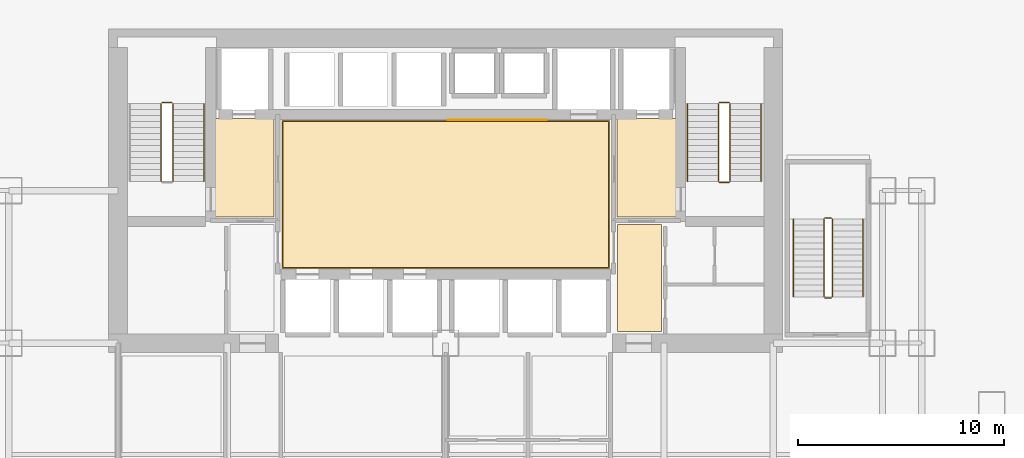
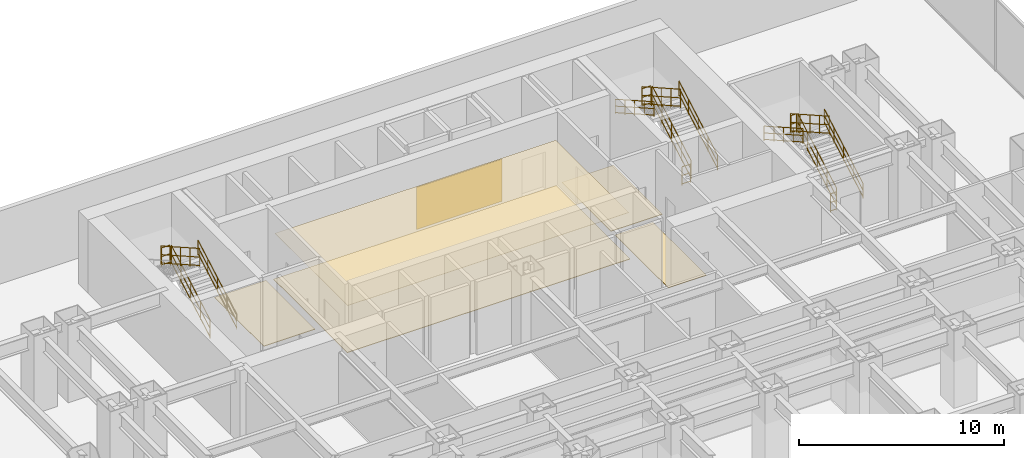
# One storey, part 13 of 13: 16 railings, 6 coverings.
"""IFC4 building model written with IfcOpenShell, lengths in metres."""

from ifc_helpers import new_model, si_unit, direction, frame, origin, origin_2d, place, context, subcontext, project, spatial, polyline, circle, outline, extrude, material, layer, layer_set, type_object, element, save


model = new_model("IFC4")

# Units and contexts
model_context = context("Model", 3, precision=1e-05, world=origin(), true_north=direction((0.0, 1.0)))
body_context = subcontext(model_context, "Body", "Model", "MODEL_VIEW")
ifc_project = project(units=[si_unit("LENGTHUNIT", "METRE"), si_unit("AREAUNIT", "SQUARE_METRE"), si_unit("VOLUMEUNIT", "CUBIC_METRE"), si_unit("PLANEANGLEUNIT", "RADIAN"), si_unit("MASSUNIT", "GRAM", prefix="KILO")], contexts=[model_context])

# Site, building, storey
site_placement = place(None, origin())
site = spatial("IfcSite", under=ifc_project, at=site_placement, CompositionType="ELEMENT")
building_placement = place(site_placement, origin())
building = spatial("IfcBuilding", under=site, at=building_placement, Name="Qianlan Lanfeng Residences", CompositionType="ELEMENT")
storey_placement = place(building_placement, frame((0.0, 0.0, 14.39990234375)))
storey = spatial("IfcBuildingStorey", under=building, at=storey_placement, Name="L03", CompositionType="ELEMENT", Elevation=14.39990234375)

# Coverings
ifc_material_1 = material(Name="Anodised Bronze Feature Wall Cladding")
ifc_layer_1 = layer(ifc_material_1, 0.02490234375)
ifc_layer_set_1 = layer_set([ifc_layer_1], Name="Anodised Bronze Feature Wall Cladding")
covering_type_1 = type_object("IfcCoveringType", Name="CLD-BRZ-25", PredefinedType="CLADDING", material=ifc_layer_set_1)
covering_1_placement = place(storey_placement, frame((0.0, 0.0, 0.150146484375)))
element("IfcCovering", 1, at=covering_1_placement, inside=storey, type_object=covering_type_1, Name="L03 Lift Lobby Bronze Feature Cladding", PredefinedType="CLADDING", context=body_context, shape_type="SweptSolid", body=[
    extrude(outline(polyline([(26.60009765625, 36.02490234375), (31.39990234375, 36.02490234375), (31.39990234375, 36.050048828125), (26.60009765625, 36.050048828125), (26.60009765625, 36.02490234375)])), origin(), (0.0, 0.0, 1.0), 2.5),
])
ifc_material_2 = material(Name="Acoustic Perforated Gypsum Ceiling Board")
ifc_layer_2 = layer(ifc_material_2, 0.02001953125)
ifc_layer_set_2 = layer_set([ifc_layer_2], Name="Acoustic Perforated Gypsum Ceiling Board")
covering_type_2 = type_object("IfcCoveringType", Name="CLG-GYP-15", PredefinedType="CEILING", material=ifc_layer_set_2)
covering_2_placement = place(storey_placement, frame((0.0, 0.0, 2.75)))
element("IfcCovering", 2, at=covering_2_placement, inside=storey, type_object=covering_type_2, Name="L03 Lift Lobby Suspended Ceiling", PredefinedType="CEILING", context=body_context, shape_type="SweptSolid", body=[
    extrude(outline(polyline([(18.60009765625, 28.8701171875), (34.39990234375, 28.8701171875), (34.39990234375, 35.9599609375), (18.60009765625, 35.9599609375), (18.60009765625, 28.8701171875)])), origin(), (0.0, 0.0, 1.0), 0.02001953125),
])
ifc_material_3 = material(Name="Honed Taitung Granite Stone Flooring", Category="masonry")
ifc_layer_3 = layer(ifc_material_3, 0.030029296875)
ifc_layer_set_3 = layer_set([ifc_layer_3], Name="Honed Taitung Granite Stone Flooring")
covering_type_3 = type_object("IfcCoveringType", Name="FLR-STN-30", PredefinedType="FLOORING", material=ifc_layer_set_3)
covering_3_placement = place(storey_placement, origin())
element("IfcCovering", 3, at=covering_3_placement, inside=storey, type_object=covering_type_3, Name="L03 Firefighting Lift Lobby Floor Finish", PredefinedType="FLOORING", context=body_context, shape_type="SweptSolid", body=[
    extrude(outline(polyline([(15.2900390625, 31.320068359375), (18.179931640625, 31.320068359375), (18.179931640625, 36.110107421875), (15.2900390625, 36.110107421875), (15.2900390625, 31.320068359375)])), origin(), (0.0, 0.0, 1.0), 0.030029296875),
])
covering_4_placement = place(storey_placement, origin())
element("IfcCovering", 4, at=covering_4_placement, inside=storey, type_object=covering_type_3, Name="L03 Firefighting Lift Lobby Floor Finish", PredefinedType="FLOORING", context=body_context, shape_type="SweptSolid", body=[
    extrude(outline(polyline([(34.820068359375, 31.320068359375), (37.7099609375, 31.320068359375), (37.7099609375, 36.110107421875), (34.820068359375, 36.110107421875), (34.820068359375, 31.320068359375)])), origin(), (0.0, 0.0, 1.0), 0.030029296875),
])
covering_5_placement = place(storey_placement, origin())
element("IfcCovering", 5, at=covering_5_placement, inside=storey, type_object=covering_type_3, Name="L03 Lift Lobby Floor Finish", PredefinedType="FLOORING", context=body_context, shape_type="SweptSolid", body=[
    extrude(outline(polyline([(18.550048828125, 28.820068359375), (34.449951171875, 28.820068359375), (34.449951171875, 36.010009765625), (18.550048828125, 36.010009765625), (18.550048828125, 28.820068359375)])), origin(), (0.0, 0.0, 1.0), 0.030029296875),
])
covering_6_placement = place(storey_placement, origin())
element("IfcCovering", 6, at=covering_6_placement, inside=storey, type_object=covering_type_3, Name="L03 Lift Lobby Floor Finish", PredefinedType="FLOORING", context=body_context, shape_type="SweptSolid", body=[
    extrude(outline(polyline([(34.830078125, 25.77001953125), (36.969970703125, 25.77001953125), (36.969970703125, 30.949951171875), (34.830078125, 30.949951171875), (34.830078125, 25.77001953125)])), origin(), (0.0, 0.0, 1.0), 0.030029296875),
])

# Railings
ifc_material_4 = material(Name="Painted Galvanised Steel Guardrail", Category="steel")
railing_type_1 = type_object("IfcRailingType", Name="GR-ST-1120", PredefinedType="GUARDRAIL", material=ifc_material_4)
railing_1_placement = place(storey_placement, frame((13.27001953125, 33.050048828125, 0.164306640625)))
element("IfcRailing", 7, at=railing_1_placement, inside=storey, type_object=railing_type_1, Name="L03 ST-1 stair guard 1", PredefinedType="GUARDRAIL", context=body_context, shape_type="SweptSolid", body=[
    extrude(circle(Radius=0.02392578125, at=origin_2d()), frame((0.0, 0.0, 0.083984375), z_axis=(0.0, 0.870081794457, 0.492907365491), x_axis=(-1.0, 0.0, 0.0)), (0.0, 0.0, 1.0), 4.3330078125),
    extrude(circle(Radius=0.02392578125, at=origin_2d()), frame((0.0, 0.0, 0.58251953125), z_axis=(0.0, 0.870081794457, 0.492907365491), x_axis=(-1.0, 0.0, 0.0)), (0.0, 0.0, 1.0), 4.3330078125),
    extrude(circle(Radius=0.02392578125, at=origin_2d()), frame((0.0, 0.0, 1.09619140625), z_axis=(0.0, 0.870081794457, 0.492907365491), x_axis=(-1.0, 0.0, 0.0)), (0.0, 0.0, 1.0), 4.3330078125),
    extrude(circle(Radius=0.02099609375, at=origin_2d()), origin(), (0.0, 0.0, 1.0), 1.072021484375),
    extrude(circle(Radius=0.02099609375, at=origin_2d()), frame((0.0, 0.9423828125, 0.533935546875)), (0.0, 0.0, 1.0), 1.072021484375),
    extrude(circle(Radius=0.02099609375, at=origin_2d()), frame((0.0, 1.885009765625, 1.06787109375)), (0.0, 0.0, 1.0), 1.072021484375),
    extrude(circle(Radius=0.02099609375, at=origin_2d()), frame((0.0, 2.82763671875, 1.601806640625)), (0.0, 0.0, 1.0), 1.072021484375),
    extrude(circle(Radius=0.02099609375, at=origin_2d()), frame((0.0, 3.77001953125, 2.1357421875)), (0.0, 0.0, 1.0), 1.072021484375),
])
railing_2_placement = place(storey_placement, frame((13.219970703125, 36.8701171875, 2.300048828125)))
element("IfcRailing", 8, at=railing_2_placement, inside=storey, type_object=railing_type_1, Name="L03 ST-1 stair guard 2", PredefinedType="GUARDRAIL", context=body_context, shape_type="SweptSolid", body=[
    extrude(circle(Radius=0.02392578125, at=origin_2d()), frame((0.0, 0.0, 0.083984375), z_axis=(-1.0, 0.0, 0.0), x_axis=(0.0, -1.0, 0.0)), (0.0, 0.0, 1.0), 0.47998046875),
    extrude(circle(Radius=0.02392578125, at=origin_2d()), frame((0.0, 0.0, 0.58251953125), z_axis=(-1.0, 0.0, 0.0), x_axis=(0.0, -1.0, 0.0)), (0.0, 0.0, 1.0), 0.47998046875),
    extrude(circle(Radius=0.02392578125, at=origin_2d()), frame((0.0, 0.0, 1.09619140625), z_axis=(-1.0, 0.0, 0.0), x_axis=(0.0, -1.0, 0.0)), (0.0, 0.0, 1.0), 0.47998046875),
    extrude(circle(Radius=0.02099609375, at=origin_2d()), origin(), (0.0, 0.0, 1.0), 1.072021484375),
    extrude(circle(Radius=0.02099609375, at=origin_2d()), frame((-0.47998046875, 0.0, 0.0)), (0.0, 0.0, 1.0), 1.072021484375),
])
railing_3_placement = place(storey_placement, frame((12.68994140625, 36.820068359375, 2.46435546875)))
element("IfcRailing", 9, at=railing_3_placement, inside=storey, type_object=railing_type_1, Name="L03 ST-1 stair guard 3", PredefinedType="GUARDRAIL", context=body_context, shape_type="SweptSolid", body=[
    extrude(circle(Radius=0.02392578125, at=origin_2d()), frame((0.0, 0.0, 0.083984375), z_axis=(0.0, -0.870081794457, 0.492907365491), x_axis=(1.0, 0.0, 0.0)), (0.0, 0.0, 1.0), 4.3330078125),
    extrude(circle(Radius=0.02392578125, at=origin_2d()), frame((0.0, 0.0, 0.58251953125), z_axis=(0.0, -0.870081794457, 0.492907365491), x_axis=(1.0, 0.0, 0.0)), (0.0, 0.0, 1.0), 4.3330078125),
    extrude(circle(Radius=0.02392578125, at=origin_2d()), frame((0.0, 0.0, 1.09619140625), z_axis=(0.0, -0.870081794457, 0.492907365491), x_axis=(1.0, 0.0, 0.0)), (0.0, 0.0, 1.0), 4.3330078125),
    extrude(circle(Radius=0.02099609375, at=origin_2d()), origin(), (0.0, 0.0, 1.0), 1.072021484375),
    extrude(circle(Radius=0.02099609375, at=origin_2d()), frame((0.0, -0.9423828125, 0.533935546875)), (0.0, 0.0, 1.0), 1.072021484375),
    extrude(circle(Radius=0.02099609375, at=origin_2d()), frame((0.0, -1.885009765625, 1.06787109375)), (0.0, 0.0, 1.0), 1.072021484375),
    extrude(circle(Radius=0.02099609375, at=origin_2d()), frame((0.0, -2.82763671875, 1.601806640625)), (0.0, 0.0, 1.0), 1.072021484375),
    extrude(circle(Radius=0.02099609375, at=origin_2d()), frame((0.0, -3.77001953125, 2.1357421875)), (0.0, 0.0, 1.0), 1.072021484375),
])
railing_4_placement = place(storey_placement, frame((40.31005859375, 33.050048828125, 0.164306640625)))
element("IfcRailing", 10, at=railing_4_placement, inside=storey, type_object=railing_type_1, Name="L03 ST-2 stair guard 1", PredefinedType="GUARDRAIL", context=body_context, shape_type="SweptSolid", body=[
    extrude(circle(Radius=0.02392578125, at=origin_2d()), frame((0.0, 0.0, 0.083984375), z_axis=(0.0, 0.870081794457, 0.492907365491), x_axis=(-1.0, 0.0, 0.0)), (0.0, 0.0, 1.0), 4.3330078125),
    extrude(circle(Radius=0.02392578125, at=origin_2d()), frame((0.0, 0.0, 0.58251953125), z_axis=(0.0, 0.870081794457, 0.492907365491), x_axis=(-1.0, 0.0, 0.0)), (0.0, 0.0, 1.0), 4.3330078125),
    extrude(circle(Radius=0.02392578125, at=origin_2d()), frame((0.0, 0.0, 1.09619140625), z_axis=(0.0, 0.870081794457, 0.492907365491), x_axis=(-1.0, 0.0, 0.0)), (0.0, 0.0, 1.0), 4.3330078125),
    extrude(circle(Radius=0.02099609375, at=origin_2d()), origin(), (0.0, 0.0, 1.0), 1.072021484375),
    extrude(circle(Radius=0.02099609375, at=origin_2d()), frame((0.0, 0.9423828125, 0.533935546875)), (0.0, 0.0, 1.0), 1.072021484375),
    extrude(circle(Radius=0.02099609375, at=origin_2d()), frame((0.0, 1.885009765625, 1.06787109375)), (0.0, 0.0, 1.0), 1.072021484375),
    extrude(circle(Radius=0.02099609375, at=origin_2d()), frame((0.0, 2.82763671875, 1.601806640625)), (0.0, 0.0, 1.0), 1.072021484375),
    extrude(circle(Radius=0.02099609375, at=origin_2d()), frame((0.0, 3.77001953125, 2.1357421875)), (0.0, 0.0, 1.0), 1.072021484375),
])
railing_5_placement = place(storey_placement, frame((40.260009765625, 36.8701171875, 2.300048828125)))
element("IfcRailing", 11, at=railing_5_placement, inside=storey, type_object=railing_type_1, Name="L03 ST-2 stair guard 2", PredefinedType="GUARDRAIL", context=body_context, shape_type="SweptSolid", body=[
    extrude(circle(Radius=0.02392578125, at=origin_2d()), frame((0.0, 0.0, 0.083984375), z_axis=(-1.0, 0.0, 0.0), x_axis=(0.0, -1.0, 0.0)), (0.0, 0.0, 1.0), 0.47998046875),
    extrude(circle(Radius=0.02392578125, at=origin_2d()), frame((0.0, 0.0, 0.58251953125), z_axis=(-1.0, 0.0, 0.0), x_axis=(0.0, -1.0, 0.0)), (0.0, 0.0, 1.0), 0.47998046875),
    extrude(circle(Radius=0.02392578125, at=origin_2d()), frame((0.0, 0.0, 1.09619140625), z_axis=(-1.0, 0.0, 0.0), x_axis=(0.0, -1.0, 0.0)), (0.0, 0.0, 1.0), 0.47998046875),
    extrude(circle(Radius=0.02099609375, at=origin_2d()), origin(), (0.0, 0.0, 1.0), 1.072021484375),
    extrude(circle(Radius=0.02099609375, at=origin_2d()), frame((-0.47998046875, 0.0, 0.0)), (0.0, 0.0, 1.0), 1.072021484375),
])
railing_6_placement = place(storey_placement, frame((39.72998046875, 36.820068359375, 2.46435546875)))
element("IfcRailing", 12, at=railing_6_placement, inside=storey, type_object=railing_type_1, Name="L03 ST-2 stair guard 3", PredefinedType="GUARDRAIL", context=body_context, shape_type="SweptSolid", body=[
    extrude(circle(Radius=0.02392578125, at=origin_2d()), frame((0.0, 0.0, 0.083984375), z_axis=(0.0, -0.870081794457, 0.492907365491), x_axis=(1.0, 0.0, 0.0)), (0.0, 0.0, 1.0), 4.3330078125),
    extrude(circle(Radius=0.02392578125, at=origin_2d()), frame((0.0, 0.0, 0.58251953125), z_axis=(0.0, -0.870081794457, 0.492907365491), x_axis=(1.0, 0.0, 0.0)), (0.0, 0.0, 1.0), 4.3330078125),
    extrude(circle(Radius=0.02392578125, at=origin_2d()), frame((0.0, 0.0, 1.09619140625), z_axis=(0.0, -0.870081794457, 0.492907365491), x_axis=(1.0, 0.0, 0.0)), (0.0, 0.0, 1.0), 4.3330078125),
    extrude(circle(Radius=0.02099609375, at=origin_2d()), origin(), (0.0, 0.0, 1.0), 1.072021484375),
    extrude(circle(Radius=0.02099609375, at=origin_2d()), frame((0.0, -0.9423828125, 0.533935546875)), (0.0, 0.0, 1.0), 1.072021484375),
    extrude(circle(Radius=0.02099609375, at=origin_2d()), frame((0.0, -1.885009765625, 1.06787109375)), (0.0, 0.0, 1.0), 1.072021484375),
    extrude(circle(Radius=0.02099609375, at=origin_2d()), frame((0.0, -2.82763671875, 1.601806640625)), (0.0, 0.0, 1.0), 1.072021484375),
    extrude(circle(Radius=0.02099609375, at=origin_2d()), frame((0.0, -3.77001953125, 2.1357421875)), (0.0, 0.0, 1.0), 1.072021484375),
])
railing_7_placement = place(storey_placement, frame((40.260009765625, 33.0, 0.0)))
element("IfcRailing", 13, at=railing_7_placement, inside=storey, type_object=railing_type_1, Name="L03 ST-2 stair guard 4", PredefinedType="GUARDRAIL", context=body_context, shape_type="SweptSolid", body=[
    extrude(circle(Radius=0.02392578125, at=origin_2d()), frame((0.0, 0.0, 0.083984375), z_axis=(-1.0, 0.0, 0.0), x_axis=(0.0, -1.0, 0.0)), (0.0, 0.0, 1.0), 0.47998046875),
    extrude(circle(Radius=0.02392578125, at=origin_2d()), frame((0.0, 0.0, 0.58251953125), z_axis=(-1.0, 0.0, 0.0), x_axis=(0.0, -1.0, 0.0)), (0.0, 0.0, 1.0), 0.47998046875),
    extrude(circle(Radius=0.02392578125, at=origin_2d()), frame((0.0, 0.0, 1.09619140625), z_axis=(-1.0, 0.0, 0.0), x_axis=(0.0, -1.0, 0.0)), (0.0, 0.0, 1.0), 0.47998046875),
    extrude(circle(Radius=0.02099609375, at=origin_2d()), origin(), (0.0, 0.0, 1.0), 1.072021484375),
    extrude(circle(Radius=0.02099609375, at=origin_2d()), frame((-0.47998046875, 0.0, 0.0)), (0.0, 0.0, 1.0), 1.072021484375),
])
railing_8_placement = place(storey_placement, frame((45.27001953125, 27.449951171875, 0.164306640625)))
element("IfcRailing", 14, at=railing_8_placement, inside=storey, type_object=railing_type_1, Name="L03 ST-P1 stair guard 1", PredefinedType="GUARDRAIL", context=body_context, shape_type="SweptSolid", body=[
    extrude(circle(Radius=0.02392578125, at=origin_2d()), frame((0.0, 0.0, 0.083984375), z_axis=(0.0, 0.870081794457, 0.492907365491), x_axis=(-1.0, 0.0, 0.0)), (0.0, 0.0, 1.0), 4.3330078125),
    extrude(circle(Radius=0.02392578125, at=origin_2d()), frame((0.0, 0.0, 0.58251953125), z_axis=(0.0, 0.870081794457, 0.492907365491), x_axis=(-1.0, 0.0, 0.0)), (0.0, 0.0, 1.0), 4.3330078125),
    extrude(circle(Radius=0.02392578125, at=origin_2d()), frame((0.0, 0.0, 1.09619140625), z_axis=(0.0, 0.870081794457, 0.492907365491), x_axis=(-1.0, 0.0, 0.0)), (0.0, 0.0, 1.0), 4.3330078125),
    extrude(circle(Radius=0.02099609375, at=origin_2d()), origin(), (0.0, 0.0, 1.0), 1.072021484375),
    extrude(circle(Radius=0.02099609375, at=origin_2d()), frame((0.0, 0.9423828125, 0.533935546875)), (0.0, 0.0, 1.0), 1.072021484375),
    extrude(circle(Radius=0.02099609375, at=origin_2d()), frame((0.0, 1.885009765625, 1.06787109375)), (0.0, 0.0, 1.0), 1.072021484375),
    extrude(circle(Radius=0.02099609375, at=origin_2d()), frame((0.0, 2.82763671875, 1.601806640625)), (0.0, 0.0, 1.0), 1.072021484375),
    extrude(circle(Radius=0.02099609375, at=origin_2d()), frame((0.0, 3.77001953125, 2.1357421875)), (0.0, 0.0, 1.0), 1.072021484375),
])
railing_9_placement = place(storey_placement, frame((45.219970703125, 31.27001953125, 2.300048828125)))
element("IfcRailing", 15, at=railing_9_placement, inside=storey, type_object=railing_type_1, Name="L03 ST-P1 stair guard 2", PredefinedType="GUARDRAIL", context=body_context, shape_type="SweptSolid", body=[
    extrude(circle(Radius=0.02392578125, at=origin_2d()), frame((0.0, 0.0, 0.083984375), z_axis=(-1.0, 0.0, 0.0), x_axis=(0.0, -1.0, 0.0)), (0.0, 0.0, 1.0), 0.320068359375),
    extrude(circle(Radius=0.02392578125, at=origin_2d()), frame((0.0, 0.0, 0.58251953125), z_axis=(-1.0, 0.0, 0.0), x_axis=(0.0, -1.0, 0.0)), (0.0, 0.0, 1.0), 0.320068359375),
    extrude(circle(Radius=0.02392578125, at=origin_2d()), frame((0.0, 0.0, 1.09619140625), z_axis=(-1.0, 0.0, 0.0), x_axis=(0.0, -1.0, 0.0)), (0.0, 0.0, 1.0), 0.320068359375),
    extrude(circle(Radius=0.02099609375, at=origin_2d()), origin(), (0.0, 0.0, 1.0), 1.072021484375),
    extrude(circle(Radius=0.02099609375, at=origin_2d()), frame((-0.320068359375, 0.0, 0.0)), (0.0, 0.0, 1.0), 1.072021484375),
])
railing_10_placement = place(storey_placement, frame((44.85009765625, 31.219970703125, 2.46435546875)))
element("IfcRailing", 16, at=railing_10_placement, inside=storey, type_object=railing_type_1, Name="L03 ST-P1 stair guard 3", PredefinedType="GUARDRAIL", context=body_context, shape_type="SweptSolid", body=[
    extrude(circle(Radius=0.02392578125, at=origin_2d()), frame((0.0, 0.0, 0.083984375), z_axis=(0.0, -0.870081794457, 0.492907365491), x_axis=(1.0, 0.0, 0.0)), (0.0, 0.0, 1.0), 4.3330078125),
    extrude(circle(Radius=0.02392578125, at=origin_2d()), frame((0.0, 0.0, 0.58251953125), z_axis=(0.0, -0.870081794457, 0.492907365491), x_axis=(1.0, 0.0, 0.0)), (0.0, 0.0, 1.0), 4.3330078125),
    extrude(circle(Radius=0.02392578125, at=origin_2d()), frame((0.0, 0.0, 1.09619140625), z_axis=(0.0, -0.870081794457, 0.492907365491), x_axis=(1.0, 0.0, 0.0)), (0.0, 0.0, 1.0), 4.3330078125),
    extrude(circle(Radius=0.02099609375, at=origin_2d()), origin(), (0.0, 0.0, 1.0), 1.072021484375),
    extrude(circle(Radius=0.02099609375, at=origin_2d()), frame((0.0, -0.9423828125, 0.533935546875)), (0.0, 0.0, 1.0), 1.072021484375),
    extrude(circle(Radius=0.02099609375, at=origin_2d()), frame((0.0, -1.885009765625, 1.06787109375)), (0.0, 0.0, 1.0), 1.072021484375),
    extrude(circle(Radius=0.02099609375, at=origin_2d()), frame((0.0, -2.82763671875, 1.601806640625)), (0.0, 0.0, 1.0), 1.072021484375),
    extrude(circle(Radius=0.02099609375, at=origin_2d()), frame((0.0, -3.77001953125, 2.1357421875)), (0.0, 0.0, 1.0), 1.072021484375),
])
railing_11_placement = place(storey_placement, frame((45.219970703125, 27.39990234375, 0.0)))
element("IfcRailing", 17, at=railing_11_placement, inside=storey, type_object=railing_type_1, Name="L03 ST-P1 stair guard 4", PredefinedType="GUARDRAIL", context=body_context, shape_type="SweptSolid", body=[
    extrude(circle(Radius=0.02392578125, at=origin_2d()), frame((0.0, 0.0, 0.083984375), z_axis=(-1.0, 0.0, 0.0), x_axis=(0.0, -1.0, 0.0)), (0.0, 0.0, 1.0), 0.320068359375),
    extrude(circle(Radius=0.02392578125, at=origin_2d()), frame((0.0, 0.0, 0.58251953125), z_axis=(-1.0, 0.0, 0.0), x_axis=(0.0, -1.0, 0.0)), (0.0, 0.0, 1.0), 0.320068359375),
    extrude(circle(Radius=0.02392578125, at=origin_2d()), frame((0.0, 0.0, 1.09619140625), z_axis=(-1.0, 0.0, 0.0), x_axis=(0.0, -1.0, 0.0)), (0.0, 0.0, 1.0), 0.320068359375),
    extrude(circle(Radius=0.02099609375, at=origin_2d()), origin(), (0.0, 0.0, 1.0), 1.072021484375),
    extrude(circle(Radius=0.02099609375, at=origin_2d()), frame((-0.320068359375, 0.0, 0.0)), (0.0, 0.0, 1.0), 1.072021484375),
])
ifc_material_5 = material(Name="Brushed Stainless Steel Handrail", Category="steel")
railing_type_2 = type_object("IfcRailingType", Name="HR-ST-920", PredefinedType="HANDRAIL", material=ifc_material_5)
for number, where, name in (
    (18, (14.77001953125, 33.050048828125, 0.164306640625), "L03 ST-1 stair handrail 1"),
    (19, (41.81005859375, 33.050048828125, 0.164306640625), "L03 ST-2 stair handrail 1"),
):
    element("IfcRailing", number, at=place(storey_placement, frame(where)), inside=storey, type_object=railing_type_2, Name=name, PredefinedType="HANDRAIL", context=body_context, shape_type="SweptSolid", body=[
        extrude(circle(Radius=0.02392578125, at=origin_2d()), frame((0.0, 0.0, 0.083984375), z_axis=(0.0, 0.870081794457, 0.492907365491), x_axis=(-1.0, 0.0, 0.0)), (0.0, 0.0, 1.0), 4.3330078125),
        extrude(circle(Radius=0.02392578125, at=origin_2d()), frame((0.0, 0.0, 0.468017578125), z_axis=(0.0, 0.870081794457, 0.492907365491), x_axis=(-1.0, 0.0, 0.0)), (0.0, 0.0, 1.0), 4.3330078125),
        extrude(circle(Radius=0.02392578125, at=origin_2d()), frame((0.0, 0.0, 0.8759765625), z_axis=(0.0, 0.870081794457, 0.492907365491), x_axis=(-1.0, 0.0, 0.0)), (0.0, 0.0, 1.0), 4.3330078125),
        extrude(circle(Radius=0.02099609375, at=origin_2d()), origin(), (0.0, 0.0, 1.0), 0.851806640625),
        extrude(circle(Radius=0.02099609375, at=origin_2d()), frame((0.0, 0.9423828125, 0.533935546875)), (0.0, 0.0, 1.0), 0.851806640625),
        extrude(circle(Radius=0.02099609375, at=origin_2d()), frame((0.0, 1.885009765625, 1.06787109375)), (0.0, 0.0, 1.0), 0.851806640625),
        extrude(circle(Radius=0.02099609375, at=origin_2d()), frame((0.0, 2.82763671875, 1.601806640625)), (0.0, 0.0, 1.0), 0.851806640625),
        extrude(circle(Radius=0.02099609375, at=origin_2d()), frame((0.0, 3.77001953125, 2.1357421875)), (0.0, 0.0, 1.0), 0.851806640625),
    ])
railing_12_placement = place(storey_placement, frame((38.22998046875, 36.820068359375, 2.46435546875)))
element("IfcRailing", 20, at=railing_12_placement, inside=storey, type_object=railing_type_2, Name="L03 ST-2 stair handrail 2", PredefinedType="HANDRAIL", context=body_context, shape_type="SweptSolid", body=[
    extrude(circle(Radius=0.02392578125, at=origin_2d()), frame((0.0, 0.0, 0.083984375), z_axis=(0.0, -0.870081794457, 0.492907365491), x_axis=(1.0, 0.0, 0.0)), (0.0, 0.0, 1.0), 4.3330078125),
    extrude(circle(Radius=0.02392578125, at=origin_2d()), frame((0.0, 0.0, 0.468017578125), z_axis=(0.0, -0.870081794457, 0.492907365491), x_axis=(1.0, 0.0, 0.0)), (0.0, 0.0, 1.0), 4.3330078125),
    extrude(circle(Radius=0.02392578125, at=origin_2d()), frame((0.0, 0.0, 0.8759765625), z_axis=(0.0, -0.870081794457, 0.492907365491), x_axis=(1.0, 0.0, 0.0)), (0.0, 0.0, 1.0), 4.3330078125),
    extrude(circle(Radius=0.02099609375, at=origin_2d()), origin(), (0.0, 0.0, 1.0), 0.851806640625),
    extrude(circle(Radius=0.02099609375, at=origin_2d()), frame((0.0, -0.9423828125, 0.533935546875)), (0.0, 0.0, 1.0), 0.851806640625),
    extrude(circle(Radius=0.02099609375, at=origin_2d()), frame((0.0, -1.885009765625, 1.06787109375)), (0.0, 0.0, 1.0), 0.851806640625),
    extrude(circle(Radius=0.02099609375, at=origin_2d()), frame((0.0, -2.82763671875, 1.601806640625)), (0.0, 0.0, 1.0), 0.851806640625),
    extrude(circle(Radius=0.02099609375, at=origin_2d()), frame((0.0, -3.77001953125, 2.1357421875)), (0.0, 0.0, 1.0), 0.851806640625),
])
railing_13_placement = place(storey_placement, frame((46.75, 27.449951171875, 0.164306640625)))
element("IfcRailing", 21, at=railing_13_placement, inside=storey, type_object=railing_type_2, Name="L03 ST-P1 stair handrail 1", PredefinedType="HANDRAIL", context=body_context, shape_type="SweptSolid", body=[
    extrude(circle(Radius=0.02392578125, at=origin_2d()), frame((0.0, 0.0, 0.083984375), z_axis=(0.0, 0.870081794457, 0.492907365491), x_axis=(-1.0, 0.0, 0.0)), (0.0, 0.0, 1.0), 4.3330078125),
    extrude(circle(Radius=0.02392578125, at=origin_2d()), frame((0.0, 0.0, 0.468017578125), z_axis=(0.0, 0.870081794457, 0.492907365491), x_axis=(-1.0, 0.0, 0.0)), (0.0, 0.0, 1.0), 4.3330078125),
    extrude(circle(Radius=0.02392578125, at=origin_2d()), frame((0.0, 0.0, 0.8759765625), z_axis=(0.0, 0.870081794457, 0.492907365491), x_axis=(-1.0, 0.0, 0.0)), (0.0, 0.0, 1.0), 4.3330078125),
    extrude(circle(Radius=0.02099609375, at=origin_2d()), origin(), (0.0, 0.0, 1.0), 0.851806640625),
    extrude(circle(Radius=0.02099609375, at=origin_2d()), frame((0.0, 0.9423828125, 0.533935546875)), (0.0, 0.0, 1.0), 0.851806640625),
    extrude(circle(Radius=0.02099609375, at=origin_2d()), frame((0.0, 1.885009765625, 1.06787109375)), (0.0, 0.0, 1.0), 0.851806640625),
    extrude(circle(Radius=0.02099609375, at=origin_2d()), frame((0.0, 2.82763671875, 1.601806640625)), (0.0, 0.0, 1.0), 0.851806640625),
    extrude(circle(Radius=0.02099609375, at=origin_2d()), frame((0.0, 3.77001953125, 2.1357421875)), (0.0, 0.0, 1.0), 0.851806640625),
])
railing_14_placement = place(storey_placement, frame((43.3701171875, 31.219970703125, 2.46435546875)))
element("IfcRailing", 22, at=railing_14_placement, inside=storey, type_object=railing_type_2, Name="L03 ST-P1 stair handrail 2", PredefinedType="HANDRAIL", context=body_context, shape_type="SweptSolid", body=[
    extrude(circle(Radius=0.02392578125, at=origin_2d()), frame((0.0, 0.0, 0.083984375), z_axis=(0.0, -0.870081794457, 0.492907365491), x_axis=(1.0, 0.0, 0.0)), (0.0, 0.0, 1.0), 4.3330078125),
    extrude(circle(Radius=0.02392578125, at=origin_2d()), frame((0.0, 0.0, 0.468017578125), z_axis=(0.0, -0.870081794457, 0.492907365491), x_axis=(1.0, 0.0, 0.0)), (0.0, 0.0, 1.0), 4.3330078125),
    extrude(circle(Radius=0.02392578125, at=origin_2d()), frame((0.0, 0.0, 0.8759765625), z_axis=(0.0, -0.870081794457, 0.492907365491), x_axis=(1.0, 0.0, 0.0)), (0.0, 0.0, 1.0), 4.3330078125),
    extrude(circle(Radius=0.02099609375, at=origin_2d()), origin(), (0.0, 0.0, 1.0), 0.851806640625),
    extrude(circle(Radius=0.02099609375, at=origin_2d()), frame((0.0, -0.9423828125, 0.533935546875)), (0.0, 0.0, 1.0), 0.851806640625),
    extrude(circle(Radius=0.02099609375, at=origin_2d()), frame((0.0, -1.885009765625, 1.06787109375)), (0.0, 0.0, 1.0), 0.851806640625),
    extrude(circle(Radius=0.02099609375, at=origin_2d()), frame((0.0, -2.82763671875, 1.601806640625)), (0.0, 0.0, 1.0), 0.851806640625),
    extrude(circle(Radius=0.02099609375, at=origin_2d()), frame((0.0, -3.77001953125, 2.1357421875)), (0.0, 0.0, 1.0), 0.851806640625),
])

save(model, "model.ifc")
